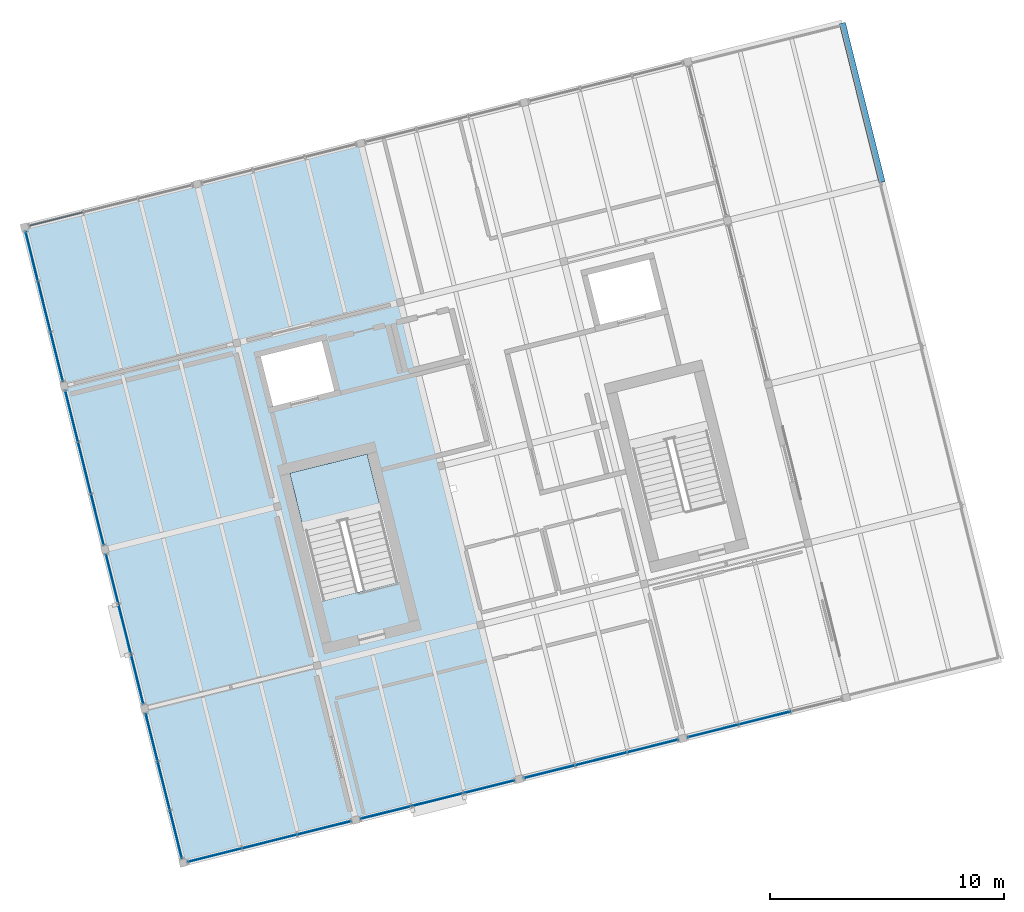
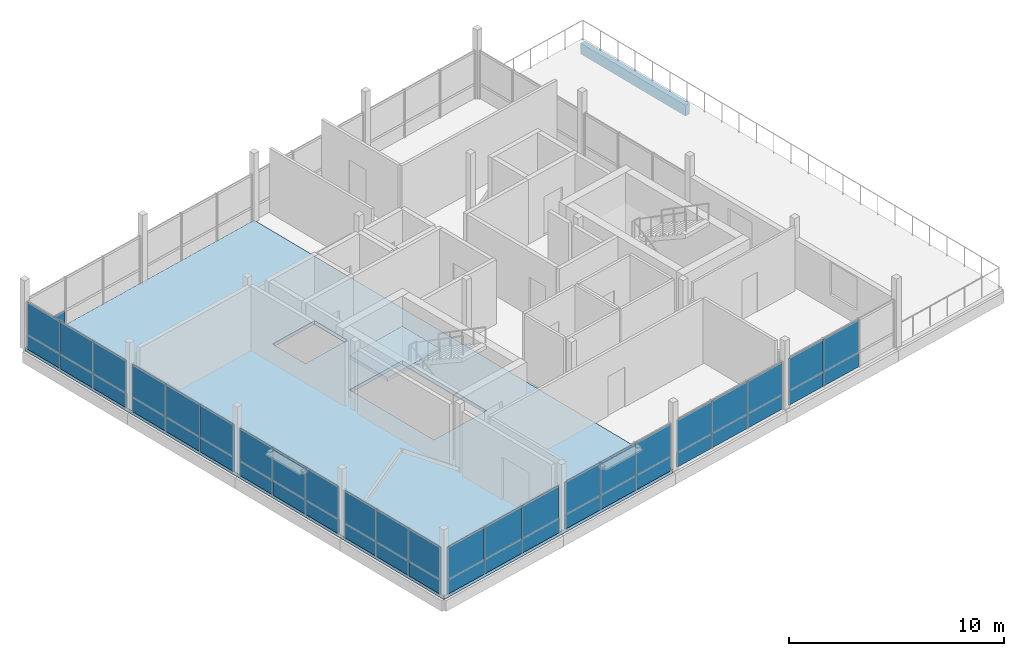
# One storey, part 20 of 24: 47 plates, 2 slabs, 1 beam, 10 elements without a shape of their own.
"""IFC4 building model written with IfcOpenShell, lengths in metres."""

from ifc_helpers import new_model, si_unit, direction, frame, origin, origin_2d, place, context, subcontext, project, spatial, polyline, rectangle, outline, extrude, material, layer, layer_set, material_profile, profile_set, type_object, element, aggregate, save


model = new_model("IFC4")

# Units and contexts
model_context = context("Model", 3, precision=1e-05, world=origin(), true_north=direction((0.0, 1.0)))
body_context = subcontext(model_context, "Body", "Model", "MODEL_VIEW")
ifc_project = project(units=[si_unit("LENGTHUNIT", "METRE"), si_unit("AREAUNIT", "SQUARE_METRE"), si_unit("VOLUMEUNIT", "CUBIC_METRE"), si_unit("PLANEANGLEUNIT", "RADIAN"), si_unit("MASSUNIT", "GRAM", prefix="KILO")], contexts=[model_context])

# Site, building, storey
site_placement = place(None, origin())
site = spatial("IfcSite", under=ifc_project, at=site_placement, CompositionType="ELEMENT")
building_placement = place(site_placement, origin())
building = spatial("IfcBuilding", under=site, at=building_placement, Name="Meriwether Solvik Hall", CompositionType="ELEMENT")
storey_placement = place(building_placement, frame((0.0, 0.0, 57.300048828125)))
storey = spatial("IfcBuildingStorey", under=building, at=storey_placement, Name="L14", CompositionType="ELEMENT", Elevation=57.300048828125)

# Beam
ifc_material_1 = material(Name="Glulam Douglas-Fir 24F-V8 GL28h", Category="wood")
ifc_material_profile = material_profile(ifc_material_1, rectangle(XDim=0.27294921875, YDim=0.610107421875, at=origin_2d()), Name="GLB-273X610")
ifc_profile_set = profile_set([ifc_material_profile], Name="Glulam Douglas-Fir 24F-V8 GL28h")
beam_type = type_object("IfcBeamType", Name="BM-GL-273X610", PredefinedType="SPANDREL", material=ifc_profile_set)
beam_placement = place(storey_placement, frame((98.4501953125, 70.285400390625, -0.525146484375), z_axis=(-0.241911879182, 0.970298223594, 0.0), x_axis=(-0.970298223594, -0.241911879182, 0.0)))
element("IfcBeam", 1, at=beam_placement, inside=storey, type_object=beam_type, Name="Tower Girder T6:TD-TE (L14)", PredefinedType="SPANDREL", context=body_context, shape_type="SweptSolid", body=[
    extrude(rectangle(XDim=0.27294921875, YDim=0.610107421875, at=origin_2d()), origin(), (0.0, 0.0, 1.0), 7.0),
])

# Curtain wall, plates
ifc_material_2 = material(Name="Thermally Broken Anodised Aluminium 6063-T6 and Low-E Glass", Category="aluminium")
ifc_layer_1 = layer(ifc_material_2, 0.179931640625)
ifc_layer_set_1 = layer_set([ifc_layer_1], Name="Thermally Broken Anodised Aluminium 6063-T6 and Low-E Glass")
curtain_wall_type_1 = type_object("IfcCurtainWallType", Name="CW-UNIT-E", PredefinedType="USERDEFINED", material=ifc_layer_set_1)
curtain_wall_1_placement = place(storey_placement, origin())
curtain_wall_1 = element("IfcCurtainWall", 2, at=curtain_wall_1_placement, inside=storey, type_object=curtain_wall_type_1, Name="Curtain Wall E0_B0 (L14)", ObjectType="UNITISED CURTAIN WALL", PredefinedType="USERDEFINED")
ifc_material_3 = material(Name="Low-Emissivity Double-Glazed Laminated Glass", Category="glass")
ifc_layer_2 = layer(ifc_material_3, 0.031982421875)
ifc_layer_set_2 = layer_set([ifc_layer_2], Name="Low-Emissivity Double-Glazed Laminated Glass")
plate_type_1 = type_object("IfcPlateType", Name="PLT-GLZ-180X185", PredefinedType="CURTAIN_PANEL", material=ifc_layer_set_2)
plate_1_placement = place(storey_placement, frame((74.6171875, 42.7001953125, 0.8173828125), z_axis=(0.0, 0.0, 1.0), x_axis=(-0.970295720361, -0.241921919325, 0.0)))
plate_1 = element("IfcPlate", 3, at=plate_1_placement, type_object=plate_type_1, Name="Low-E Vision Glazing Panel 1", PredefinedType="CURTAIN_PANEL", context=body_context, shape_type="SweptSolid", body=[
    extrude(rectangle(XDim=2.374267578125, YDim=0.033935546875, at=origin_2d()), origin(), (0.0, 0.0, 1.0), 1.847412109375),
])
plate_2_placement = place(storey_placement, frame((72.287109375, 42.119384765625, 0.8173828125), z_axis=(0.0, 0.0, 1.0), x_axis=(-0.970295720361, -0.241921919325, 0.0)))
plate_2 = element("IfcPlate", 4, at=plate_2_placement, type_object=plate_type_1, Name="Low-E Vision Glazing Panel 2", PredefinedType="CURTAIN_PANEL", context=body_context, shape_type="SweptSolid", body=[
    extrude(rectangle(XDim=2.412353515625, YDim=0.033935546875, at=origin_2d()), origin(), (0.0, 0.0, 1.0), 1.847412109375),
])
plate_3_placement = place(storey_placement, frame((69.95703125, 41.538330078125, 0.8173828125), z_axis=(0.0, 0.0, 1.0), x_axis=(-0.970295720361, -0.241921919325, 0.0)))
plate_3 = element("IfcPlate", 5, at=plate_3_placement, type_object=plate_type_1, Name="Low-E Vision Glazing Panel 3", PredefinedType="CURTAIN_PANEL", context=body_context, shape_type="SweptSolid", body=[
    extrude(rectangle(XDim=2.374267578125, YDim=0.033935546875, at=origin_2d()), origin(), (0.0, 0.0, 1.0), 1.847412109375),
])

ifc_material_4 = material(Name="Thermally Broken Anodised Aluminium 6063-T6 and Low-E Glass", Category="aluminium")
ifc_layer_3 = layer(ifc_material_4, 0.179931640625)
ifc_layer_set_3 = layer_set([ifc_layer_3], Name="Thermally Broken Anodised Aluminium 6063-T6 and Low-E Glass")
curtain_wall_type_2 = type_object("IfcCurtainWallType", Name="CW-UNIT-A", PredefinedType="USERDEFINED", material=ifc_layer_set_3)
curtain_wall_2_placement = place(storey_placement, origin())
curtain_wall_2 = element("IfcCurtainWall", 6, at=curtain_wall_2_placement, inside=storey, type_object=curtain_wall_type_2, Name="Curtain Wall E3_B0 (L14)", ObjectType="UNITISED CURTAIN WALL", PredefinedType="USERDEFINED")
plate_4_placement = place(storey_placement, frame((68.2939453125, 42.427734375, 0.8173828125), z_axis=(0.0, 0.0, 1.0), x_axis=(-0.241921830705, 0.970295742456, 0.0)))
plate_4 = element("IfcPlate", 7, at=plate_4_placement, type_object=plate_type_1, Name="Low-E Vision Glazing Panel 1", PredefinedType="CURTAIN_PANEL", context=body_context, shape_type="SweptSolid", body=[
    extrude(rectangle(XDim=2.107666015625, YDim=0.033935546875, at=origin_2d()), origin(), (0.0, 0.0, 1.0), 1.847412109375),
])
plate_5_placement = place(storey_placement, frame((67.777587890625, 44.4990234375, 0.8173828125), z_axis=(0.0, 0.0, 1.0), x_axis=(-0.241921830705, 0.970295742456, 0.0)))
plate_5 = element("IfcPlate", 8, at=plate_5_placement, type_object=plate_type_1, Name="Low-E Vision Glazing Panel 2", PredefinedType="CURTAIN_PANEL", context=body_context, shape_type="SweptSolid", body=[
    extrude(rectangle(XDim=2.145751953125, YDim=0.033935546875, at=origin_2d()), origin(), (0.0, 0.0, 1.0), 1.847412109375),
])
plate_6_placement = place(storey_placement, frame((67.260986328125, 46.5703125, 0.8173828125), z_axis=(0.0, 0.0, 1.0), x_axis=(-0.241921830705, 0.970295742456, 0.0)))
plate_6 = element("IfcPlate", 9, at=plate_6_placement, type_object=plate_type_1, Name="Low-E Vision Glazing Panel 3", PredefinedType="CURTAIN_PANEL", context=body_context, shape_type="SweptSolid", body=[
    extrude(rectangle(XDim=2.107666015625, YDim=0.033935546875, at=origin_2d()), origin(), (0.0, 0.0, 1.0), 1.847412109375),
])

curtain_wall_3_placement = place(storey_placement, origin())
curtain_wall_3 = element("IfcCurtainWall", 10, at=curtain_wall_3_placement, inside=storey, type_object=curtain_wall_type_2, Name="Curtain Wall E0_B3 (L14)", ObjectType="UNITISED CURTAIN WALL", PredefinedType="USERDEFINED")
ifc_material_5 = material(Name="Low-Emissivity Double-Glazed Laminated Glass", Category="glass")
ifc_layer_4 = layer(ifc_material_5, 0.031982421875)
ifc_layer_set_4 = layer_set([ifc_layer_4], Name="Low-Emissivity Double-Glazed Laminated Glass")
plate_type_2 = type_object("IfcPlateType", Name="PLT-GLZ-195X185", PredefinedType="CURTAIN_PANEL", material=ifc_layer_set_4)
plate_7_placement = place(storey_placement, frame((93.439453125, 47.393310546875, 0.8173828125), z_axis=(0.0, 0.0, 1.0), x_axis=(-0.970295696551, -0.241922014821, 0.0)))
plate_7 = element("IfcPlate", 11, at=plate_7_placement, type_object=plate_type_2, Name="Low-E Vision Glazing Panel 2", PredefinedType="CURTAIN_PANEL", context=body_context, shape_type="SweptSolid", body=[
    extrude(rectangle(XDim=2.279052734375, YDim=0.033935546875, at=origin_2d()), origin(), (0.0, 0.0, 1.0), 1.847412109375),
])
plate_8_placement = place(storey_placement, frame((91.239013671875, 46.844482421875, 0.8173828125), z_axis=(0.0, 0.0, 1.0), x_axis=(-0.970295696551, -0.241922014821, 0.0)))
plate_8 = element("IfcPlate", 12, at=plate_8_placement, type_object=plate_type_2, Name="Low-E Vision Glazing Panel 3", PredefinedType="CURTAIN_PANEL", context=body_context, shape_type="SweptSolid", body=[
    extrude(rectangle(XDim=2.240966796875, YDim=0.033935546875, at=origin_2d()), origin(), (0.0, 0.0, 1.0), 1.847412109375),
])

ifc_material_6 = material(Name="Thermally Broken Anodised Aluminium 6063-T6 and Low-E Glass", Category="aluminium")
ifc_layer_5 = layer(ifc_material_6, 0.179931640625)
ifc_layer_set_5 = layer_set([ifc_layer_5], Name="Thermally Broken Anodised Aluminium 6063-T6 and Low-E Glass")
curtain_wall_type_3 = type_object("IfcCurtainWallType", Name="CW-UNIT-D", PredefinedType="USERDEFINED", material=ifc_layer_set_5)
curtain_wall_4_placement = place(storey_placement, origin())
curtain_wall_4 = element("IfcCurtainWall", 13, at=curtain_wall_4_placement, inside=storey, type_object=curtain_wall_type_3, Name="Curtain Wall E3_B3 (L14)", ObjectType="UNITISED CURTAIN WALL", PredefinedType="USERDEFINED")
plate_9_placement = place(storey_placement, frame((63.20556640625, 62.836181640625, 0.8173828125), z_axis=(0.0, 0.0, 1.0), x_axis=(-0.241921784185, 0.970295754055, 0.0)))
plate_9 = element("IfcPlate", 14, at=plate_9_placement, type_object=plate_type_2, Name="Low-E Vision Glazing Panel 1", PredefinedType="CURTAIN_PANEL", context=body_context, shape_type="SweptSolid", body=[
    extrude(rectangle(XDim=2.17431640625, YDim=0.033935546875, at=origin_2d()), origin(), (0.0, 0.0, 1.0), 1.847412109375),
])
plate_10_placement = place(storey_placement, frame((62.6728515625, 64.97216796875, 0.8173828125), z_axis=(0.0, 0.0, 1.0), x_axis=(-0.241921784185, 0.970295754055, 0.0)))
plate_10 = element("IfcPlate", 15, at=plate_10_placement, type_object=plate_type_2, Name="Low-E Vision Glazing Panel 2", PredefinedType="CURTAIN_PANEL", context=body_context, shape_type="SweptSolid", body=[
    extrude(rectangle(XDim=2.21240234375, YDim=0.033935546875, at=origin_2d()), origin(), (0.0, 0.0, 1.0), 1.847412109375),
])
plate_11_placement = place(storey_placement, frame((62.140380859375, 67.108154296875, 0.8173828125), z_axis=(0.0, 0.0, 1.0), x_axis=(-0.241921784185, 0.970295754055, 0.0)))
plate_11 = element("IfcPlate", 16, at=plate_11_placement, type_object=plate_type_2, Name="Low-E Vision Glazing Panel 3", PredefinedType="CURTAIN_PANEL", context=body_context, shape_type="SweptSolid", body=[
    extrude(rectangle(XDim=2.17431640625, YDim=0.033935546875, at=origin_2d()), origin(), (0.0, 0.0, 1.0), 1.847412109375),
])

ifc_material_7 = material(Name="Thermally Broken Anodised Aluminium 6063-T6 and Low-E Glass", Category="aluminium")
ifc_layer_6 = layer(ifc_material_7, 0.179931640625)
ifc_layer_set_6 = layer_set([ifc_layer_6], Name="Thermally Broken Anodised Aluminium 6063-T6 and Low-E Glass")
curtain_wall_type_4 = type_object("IfcCurtainWallType", Name="CW-UNIT-G", PredefinedType="USERDEFINED", material=ifc_layer_set_6)
curtain_wall_5_placement = place(storey_placement, origin())
curtain_wall_5 = element("IfcCurtainWall", 17, at=curtain_wall_5_placement, inside=storey, type_object=curtain_wall_type_4, Name="Curtain Wall E0_B2 (L14)", ObjectType="UNITISED CURTAIN WALL", PredefinedType="USERDEFINED")
ifc_material_8 = material(Name="Low-Emissivity Double-Glazed Laminated Glass", Category="glass")
ifc_layer_7 = layer(ifc_material_8, 0.031982421875)
ifc_layer_set_7 = layer_set([ifc_layer_7], Name="Low-Emissivity Double-Glazed Laminated Glass")
plate_type_3 = type_object("IfcPlateType", Name="PLT-GLZ-210X195", PredefinedType="CURTAIN_PANEL", material=ifc_layer_set_7)
plate_12_placement = place(storey_placement, frame((88.654052734375, 46.199951171875, 0.8173828125), z_axis=(0.0, 0.0, 1.0), x_axis=(-0.970295730764, -0.241921877598, 0.0)))
plate_12 = element("IfcPlate", 18, at=plate_12_placement, type_object=plate_type_3, Name="Low-E Vision Glazing Panel 1", PredefinedType="CURTAIN_PANEL", context=body_context, shape_type="SweptSolid", body=[
    extrude(rectangle(XDim=2.240966796875, YDim=0.033935546875, at=origin_2d()), origin(), (0.0, 0.0, 1.0), 1.847412109375),
])
plate_13_placement = place(storey_placement, frame((86.453369140625, 45.6513671875, 0.8173828125), z_axis=(0.0, 0.0, 1.0), x_axis=(-0.970295730764, -0.241921877598, 0.0)))
plate_13 = element("IfcPlate", 19, at=plate_13_placement, type_object=plate_type_3, Name="Low-E Vision Glazing Panel 2", PredefinedType="CURTAIN_PANEL", context=body_context, shape_type="SweptSolid", body=[
    extrude(rectangle(XDim=2.279052734375, YDim=0.033935546875, at=origin_2d()), origin(), (0.0, 0.0, 1.0), 1.847412109375),
])
plate_14_placement = place(storey_placement, frame((84.2529296875, 45.102783203125, 0.8173828125), z_axis=(0.0, 0.0, 1.0), x_axis=(-0.970295730764, -0.241921877598, 0.0)))
plate_14 = element("IfcPlate", 20, at=plate_14_placement, type_object=plate_type_3, Name="Low-E Vision Glazing Panel 3", PredefinedType="CURTAIN_PANEL", context=body_context, shape_type="SweptSolid", body=[
    extrude(rectangle(XDim=2.240966796875, YDim=0.033935546875, at=origin_2d()), origin(), (0.0, 0.0, 1.0), 1.847412109375),
])

ifc_material_9 = material(Name="Thermally Broken Anodised Aluminium 6063-T6 and Low-E Glass", Category="aluminium")
ifc_layer_8 = layer(ifc_material_9, 0.179931640625)
ifc_layer_set_8 = layer_set([ifc_layer_8], Name="Thermally Broken Anodised Aluminium 6063-T6 and Low-E Glass")
curtain_wall_type_5 = type_object("IfcCurtainWallType", Name="CW-UNIT-C", PredefinedType="USERDEFINED", material=ifc_layer_set_8)
curtain_wall_6_placement = place(storey_placement, origin())
curtain_wall_6 = element("IfcCurtainWall", 21, at=curtain_wall_6_placement, inside=storey, type_object=curtain_wall_type_5, Name="Curtain Wall E3_B2 (L14)", ObjectType="UNITISED CURTAIN WALL", PredefinedType="USERDEFINED")
plate_15_placement = place(storey_placement, frame((64.939208984375, 55.882568359375, 0.8173828125), z_axis=(0.0, 0.0, 1.0), x_axis=(-0.241921877598, 0.970295730764, 0.0)))
plate_15 = element("IfcPlate", 22, at=plate_15_placement, type_object=plate_type_3, Name="Low-E Vision Glazing Panel 1", PredefinedType="CURTAIN_PANEL", context=body_context, shape_type="SweptSolid", body=[
    extrude(rectangle(XDim=2.240966796875, YDim=0.033935546875, at=origin_2d()), origin(), (0.0, 0.0, 1.0), 1.847412109375),
])
plate_16_placement = place(storey_placement, frame((64.390625, 58.083251953125, 0.8173828125), z_axis=(0.0, 0.0, 1.0), x_axis=(-0.241921877598, 0.970295730764, 0.0)))
plate_16 = element("IfcPlate", 23, at=plate_16_placement, type_object=plate_type_3, Name="Low-E Vision Glazing Panel 2", PredefinedType="CURTAIN_PANEL", context=body_context, shape_type="SweptSolid", body=[
    extrude(rectangle(XDim=2.279052734375, YDim=0.033935546875, at=origin_2d()), origin(), (0.0, 0.0, 1.0), 1.847412109375),
])
plate_17_placement = place(storey_placement, frame((63.841796875, 60.28369140625, 0.8173828125), z_axis=(0.0, 0.0, 1.0), x_axis=(-0.241921877598, 0.970295730764, 0.0)))
plate_17 = element("IfcPlate", 24, at=plate_17_placement, type_object=plate_type_3, Name="Low-E Vision Glazing Panel 3", PredefinedType="CURTAIN_PANEL", context=body_context, shape_type="SweptSolid", body=[
    extrude(rectangle(XDim=2.240966796875, YDim=0.033935546875, at=origin_2d()), origin(), (0.0, 0.0, 1.0), 1.847412109375),
])

ifc_material_10 = material(Name="Thermally Broken Anodised Aluminium 6063-T6 and Low-E Glass", Category="aluminium")
ifc_layer_9 = layer(ifc_material_10, 0.179931640625)
ifc_layer_set_9 = layer_set([ifc_layer_9], Name="Thermally Broken Anodised Aluminium 6063-T6 and Low-E Glass")
curtain_wall_type_6 = type_object("IfcCurtainWallType", Name="CW-UNIT-F", PredefinedType="USERDEFINED", material=ifc_layer_set_9)
curtain_wall_7_placement = place(storey_placement, origin())
curtain_wall_7 = element("IfcCurtainWall", 25, at=curtain_wall_7_placement, inside=storey, type_object=curtain_wall_type_6, Name="Curtain Wall E0_B1 (L14)", ObjectType="UNITISED CURTAIN WALL", PredefinedType="USERDEFINED")
ifc_material_11 = material(Name="Low-Emissivity Double-Glazed Laminated Glass", Category="glass")
ifc_layer_10 = layer(ifc_material_11, 0.031982421875)
ifc_layer_set_10 = layer_set([ifc_layer_10], Name="Low-Emissivity Double-Glazed Laminated Glass")
plate_type_4 = type_object("IfcPlateType", Name="PLT-GLZ-225X195", PredefinedType="CURTAIN_PANEL", material=ifc_layer_set_10)
plate_18_placement = place(storey_placement, frame((81.66796875, 44.458251953125, 0.8173828125), z_axis=(0.0, 0.0, 1.0), x_axis=(-0.970295730764, -0.241921877598, 0.0)))
plate_18 = element("IfcPlate", 26, at=plate_18_placement, type_object=plate_type_4, Name="Low-E Vision Glazing Panel 1", PredefinedType="CURTAIN_PANEL", context=body_context, shape_type="SweptSolid", body=[
    extrude(rectangle(XDim=2.240966796875, YDim=0.033935546875, at=origin_2d()), origin(), (0.0, 0.0, 1.0), 1.847412109375),
])
plate_19_placement = place(storey_placement, frame((79.46728515625, 43.909423828125, 0.8173828125), z_axis=(0.0, 0.0, 1.0), x_axis=(-0.970295730764, -0.241921877598, 0.0)))
plate_19 = element("IfcPlate", 27, at=plate_19_placement, type_object=plate_type_4, Name="Low-E Vision Glazing Panel 2", PredefinedType="CURTAIN_PANEL", context=body_context, shape_type="SweptSolid", body=[
    extrude(rectangle(XDim=2.279052734375, YDim=0.033935546875, at=origin_2d()), origin(), (0.0, 0.0, 1.0), 1.847412109375),
])
plate_20_placement = place(storey_placement, frame((77.2666015625, 43.36083984375, 0.8173828125), z_axis=(0.0, 0.0, 1.0), x_axis=(-0.970295730764, -0.241921877598, 0.0)))
plate_20 = element("IfcPlate", 28, at=plate_20_placement, type_object=plate_type_4, Name="Low-E Vision Glazing Panel 3", PredefinedType="CURTAIN_PANEL", context=body_context, shape_type="SweptSolid", body=[
    extrude(rectangle(XDim=2.240966796875, YDim=0.033935546875, at=origin_2d()), origin(), (0.0, 0.0, 1.0), 1.847412109375),
])

ifc_material_12 = material(Name="Thermally Broken Anodised Aluminium 6063-T6 and Low-E Glass", Category="aluminium")
ifc_layer_11 = layer(ifc_material_12, 0.179931640625)
ifc_layer_set_11 = layer_set([ifc_layer_11], Name="Thermally Broken Anodised Aluminium 6063-T6 and Low-E Glass")
curtain_wall_type_7 = type_object("IfcCurtainWallType", Name="CW-UNIT-B", PredefinedType="USERDEFINED", material=ifc_layer_set_11)
curtain_wall_8_placement = place(storey_placement, origin())
curtain_wall_8 = element("IfcCurtainWall", 29, at=curtain_wall_8_placement, inside=storey, type_object=curtain_wall_type_7, Name="Curtain Wall E3_B1 (L14)", ObjectType="UNITISED CURTAIN WALL", PredefinedType="USERDEFINED")
plate_21_placement = place(storey_placement, frame((66.640869140625, 49.05810546875, 0.8173828125), z_axis=(0.0, 0.0, 1.0), x_axis=(-0.241921784185, 0.970295754055, 0.0)))
plate_21 = element("IfcPlate", 30, at=plate_21_placement, type_object=plate_type_4, Name="Low-E Vision Glazing Panel 1", PredefinedType="CURTAIN_PANEL", context=body_context, shape_type="SweptSolid", body=[
    extrude(rectangle(XDim=2.17431640625, YDim=0.033935546875, at=origin_2d()), origin(), (0.0, 0.0, 1.0), 1.847412109375),
])
plate_22_placement = place(storey_placement, frame((66.108154296875, 51.194091796875, 0.8173828125), z_axis=(0.0, 0.0, 1.0), x_axis=(-0.241921784185, 0.970295754055, 0.0)))
plate_22 = element("IfcPlate", 31, at=plate_22_placement, type_object=plate_type_4, Name="Low-E Vision Glazing Panel 2", PredefinedType="CURTAIN_PANEL", context=body_context, shape_type="SweptSolid", body=[
    extrude(rectangle(XDim=2.21240234375, YDim=0.033935546875, at=origin_2d()), origin(), (0.0, 0.0, 1.0), 1.847412109375),
])
plate_23_placement = place(storey_placement, frame((65.57568359375, 53.330078125, 0.8173828125), z_axis=(0.0, 0.0, 1.0), x_axis=(-0.241921784185, 0.970295754055, 0.0)))
plate_23 = element("IfcPlate", 32, at=plate_23_placement, type_object=plate_type_4, Name="Low-E Vision Glazing Panel 3", PredefinedType="CURTAIN_PANEL", context=body_context, shape_type="SweptSolid", body=[
    extrude(rectangle(XDim=2.17431640625, YDim=0.033935546875, at=origin_2d()), origin(), (0.0, 0.0, 1.0), 1.847412109375),
])

# Plate
ifc_material_13 = material(Name="Mineral-Wool Insulated Anodised Aluminium 6063-T6", Category="aluminium")
ifc_layer_12 = layer(ifc_material_13, 0.044921875)
ifc_layer_set_12 = layer_set([ifc_layer_12], Name="Mineral-Wool Insulated Anodised Aluminium 6063-T6")
plate_type_5 = type_object("IfcPlateType", Name="PLT-SPN-200X085", PredefinedType="CURTAIN_PANEL", material=ifc_layer_set_12)
plate_24_placement = place(storey_placement, frame((74.6171875, 42.7001953125, 0.0), z_axis=(0.0, 0.0, 1.0), x_axis=(-0.970295720361, -0.241921919325, 0.0)))
plate_24 = element("IfcPlate", 33, at=plate_24_placement, type_object=plate_type_5, Name="Insulated Spandrel Panel 1", PredefinedType="CURTAIN_PANEL", context=body_context, shape_type="SweptSolid", body=[
    extrude(rectangle(XDim=2.374267578125, YDim=0.044921875, at=origin_2d()), origin(), (0.0, 0.0, 1.0), 0.8173828125),
])

plate_25_placement = place(storey_placement, frame((72.287109375, 42.119384765625, 0.0), z_axis=(0.0, 0.0, 1.0), x_axis=(-0.970295720361, -0.241921919325, 0.0)))
plate_25 = element("IfcPlate", 34, at=plate_25_placement, type_object=plate_type_5, Name="Insulated Spandrel Panel 2", PredefinedType="CURTAIN_PANEL", context=body_context, shape_type="SweptSolid", body=[
    extrude(rectangle(XDim=2.412353515625, YDim=0.044921875, at=origin_2d()), origin(), (0.0, 0.0, 1.0), 0.8173828125),
])

plate_26_placement = place(storey_placement, frame((69.95703125, 41.538330078125, 0.0), z_axis=(0.0, 0.0, 1.0), x_axis=(-0.970295720361, -0.241921919325, 0.0)))
plate_26 = element("IfcPlate", 35, at=plate_26_placement, type_object=plate_type_5, Name="Insulated Spandrel Panel 3", PredefinedType="CURTAIN_PANEL", context=body_context, shape_type="SweptSolid", body=[
    extrude(rectangle(XDim=2.374267578125, YDim=0.044921875, at=origin_2d()), origin(), (0.0, 0.0, 1.0), 0.8173828125),
])

aggregate(curtain_wall_1, [plate_24, plate_1, plate_25, plate_2, plate_26, plate_3])

plate_27_placement = place(storey_placement, frame((81.66796875, 44.458251953125, 0.0), z_axis=(0.0, 0.0, 1.0), x_axis=(-0.970295730764, -0.241921877598, 0.0)))
plate_27 = element("IfcPlate", 36, at=plate_27_placement, type_object=plate_type_5, Name="Insulated Spandrel Panel 1", PredefinedType="CURTAIN_PANEL", context=body_context, shape_type="SweptSolid", body=[
    extrude(rectangle(XDim=2.240966796875, YDim=0.044921875, at=origin_2d()), origin(), (0.0, 0.0, 1.0), 0.8173828125),
])

plate_28_placement = place(storey_placement, frame((79.46728515625, 43.909423828125, 0.0), z_axis=(0.0, 0.0, 1.0), x_axis=(-0.970295730764, -0.241921877598, 0.0)))
plate_28 = element("IfcPlate", 37, at=plate_28_placement, type_object=plate_type_5, Name="Insulated Spandrel Panel 2", PredefinedType="CURTAIN_PANEL", context=body_context, shape_type="SweptSolid", body=[
    extrude(rectangle(XDim=2.279052734375, YDim=0.044921875, at=origin_2d()), origin(), (0.0, 0.0, 1.0), 0.8173828125),
])

plate_29_placement = place(storey_placement, frame((77.2666015625, 43.36083984375, 0.0), z_axis=(0.0, 0.0, 1.0), x_axis=(-0.970295730764, -0.241921877598, 0.0)))
plate_29 = element("IfcPlate", 38, at=plate_29_placement, type_object=plate_type_5, Name="Insulated Spandrel Panel 3", PredefinedType="CURTAIN_PANEL", context=body_context, shape_type="SweptSolid", body=[
    extrude(rectangle(XDim=2.240966796875, YDim=0.044921875, at=origin_2d()), origin(), (0.0, 0.0, 1.0), 0.8173828125),
])

aggregate(curtain_wall_7, [plate_27, plate_18, plate_28, plate_19, plate_29, plate_20])

plate_30_placement = place(storey_placement, frame((88.654052734375, 46.199951171875, 0.0), z_axis=(0.0, 0.0, 1.0), x_axis=(-0.970295730764, -0.241921877598, 0.0)))
plate_30 = element("IfcPlate", 39, at=plate_30_placement, type_object=plate_type_5, Name="Insulated Spandrel Panel 1", PredefinedType="CURTAIN_PANEL", context=body_context, shape_type="SweptSolid", body=[
    extrude(rectangle(XDim=2.240966796875, YDim=0.044921875, at=origin_2d()), origin(), (0.0, 0.0, 1.0), 0.8173828125),
])

plate_31_placement = place(storey_placement, frame((86.453369140625, 45.6513671875, 0.0), z_axis=(0.0, 0.0, 1.0), x_axis=(-0.970295730764, -0.241921877598, 0.0)))
plate_31 = element("IfcPlate", 40, at=plate_31_placement, type_object=plate_type_5, Name="Insulated Spandrel Panel 2", PredefinedType="CURTAIN_PANEL", context=body_context, shape_type="SweptSolid", body=[
    extrude(rectangle(XDim=2.279052734375, YDim=0.044921875, at=origin_2d()), origin(), (0.0, 0.0, 1.0), 0.8173828125),
])

plate_32_placement = place(storey_placement, frame((84.2529296875, 45.102783203125, 0.0), z_axis=(0.0, 0.0, 1.0), x_axis=(-0.970295730764, -0.241921877598, 0.0)))
plate_32 = element("IfcPlate", 41, at=plate_32_placement, type_object=plate_type_5, Name="Insulated Spandrel Panel 3", PredefinedType="CURTAIN_PANEL", context=body_context, shape_type="SweptSolid", body=[
    extrude(rectangle(XDim=2.240966796875, YDim=0.044921875, at=origin_2d()), origin(), (0.0, 0.0, 1.0), 0.8173828125),
])

aggregate(curtain_wall_5, [plate_30, plate_12, plate_31, plate_13, plate_32, plate_14])

plate_33_placement = place(storey_placement, frame((93.439453125, 47.393310546875, 0.0), z_axis=(0.0, 0.0, 1.0), x_axis=(-0.970295696551, -0.241922014821, 0.0)))
plate_33 = element("IfcPlate", 42, at=plate_33_placement, type_object=plate_type_5, Name="Insulated Spandrel Panel 2", PredefinedType="CURTAIN_PANEL", context=body_context, shape_type="SweptSolid", body=[
    extrude(rectangle(XDim=2.279052734375, YDim=0.044921875, at=origin_2d()), origin(), (0.0, 0.0, 1.0), 0.8173828125),
])

plate_34_placement = place(storey_placement, frame((91.239013671875, 46.844482421875, 0.0), z_axis=(0.0, 0.0, 1.0), x_axis=(-0.970295696551, -0.241922014821, 0.0)))
plate_34 = element("IfcPlate", 43, at=plate_34_placement, type_object=plate_type_5, Name="Insulated Spandrel Panel 3", PredefinedType="CURTAIN_PANEL", context=body_context, shape_type="SweptSolid", body=[
    extrude(rectangle(XDim=2.240966796875, YDim=0.044921875, at=origin_2d()), origin(), (0.0, 0.0, 1.0), 0.8173828125),
])

aggregate(curtain_wall_3, [plate_33, plate_7, plate_34, plate_8])

# Curtain wall, plate
curtain_wall_9_placement = place(storey_placement, origin())
curtain_wall_9 = element("IfcCurtainWall", 44, at=curtain_wall_9_placement, inside=storey, type_object=curtain_wall_type_4, Name="Curtain Wall E2_B0 (L14)", ObjectType="UNITISED CURTAIN WALL", PredefinedType="USERDEFINED")
plate_35_placement = place(storey_placement, frame((63.183349609375, 68.70654296875, 0.0), z_axis=(0.0, 0.0, 1.0), x_axis=(0.970295720361, 0.241921919325, 0.0)))
plate_35 = element("IfcPlate", 45, at=plate_35_placement, type_object=plate_type_5, Name="Insulated Spandrel Panel 1", PredefinedType="CURTAIN_PANEL", context=body_context, shape_type="SweptSolid", body=[
    extrude(rectangle(XDim=2.374267578125, YDim=0.044921875, at=origin_2d()), origin(), (0.0, 0.0, 1.0), 0.8173828125),
])
aggregate(curtain_wall_9, [plate_35])

# Plate
plate_36_placement = place(storey_placement, frame((68.2939453125, 42.427734375, 0.0), z_axis=(0.0, 0.0, 1.0), x_axis=(-0.241921830705, 0.970295742456, 0.0)))
plate_36 = element("IfcPlate", 46, at=plate_36_placement, type_object=plate_type_5, Name="Insulated Spandrel Panel 1", PredefinedType="CURTAIN_PANEL", context=body_context, shape_type="SweptSolid", body=[
    extrude(rectangle(XDim=2.107666015625, YDim=0.044921875, at=origin_2d()), origin(), (0.0, 0.0, 1.0), 0.8173828125),
])

plate_37_placement = place(storey_placement, frame((67.777587890625, 44.4990234375, 0.0), z_axis=(0.0, 0.0, 1.0), x_axis=(-0.241921830705, 0.970295742456, 0.0)))
plate_37 = element("IfcPlate", 47, at=plate_37_placement, type_object=plate_type_5, Name="Insulated Spandrel Panel 2", PredefinedType="CURTAIN_PANEL", context=body_context, shape_type="SweptSolid", body=[
    extrude(rectangle(XDim=2.145751953125, YDim=0.044921875, at=origin_2d()), origin(), (0.0, 0.0, 1.0), 0.8173828125),
])

plate_38_placement = place(storey_placement, frame((67.260986328125, 46.5703125, 0.0), z_axis=(0.0, 0.0, 1.0), x_axis=(-0.241921830705, 0.970295742456, 0.0)))
plate_38 = element("IfcPlate", 48, at=plate_38_placement, type_object=plate_type_5, Name="Insulated Spandrel Panel 3", PredefinedType="CURTAIN_PANEL", context=body_context, shape_type="SweptSolid", body=[
    extrude(rectangle(XDim=2.107666015625, YDim=0.044921875, at=origin_2d()), origin(), (0.0, 0.0, 1.0), 0.8173828125),
])

aggregate(curtain_wall_2, [plate_36, plate_4, plate_37, plate_5, plate_38, plate_6])

plate_39_placement = place(storey_placement, frame((66.640869140625, 49.05810546875, 0.0), z_axis=(0.0, 0.0, 1.0), x_axis=(-0.241921784185, 0.970295754055, 0.0)))
plate_39 = element("IfcPlate", 49, at=plate_39_placement, type_object=plate_type_5, Name="Insulated Spandrel Panel 1", PredefinedType="CURTAIN_PANEL", context=body_context, shape_type="SweptSolid", body=[
    extrude(rectangle(XDim=2.17431640625, YDim=0.044921875, at=origin_2d()), origin(), (0.0, 0.0, 1.0), 0.8173828125),
])

plate_40_placement = place(storey_placement, frame((66.108154296875, 51.194091796875, 0.0), z_axis=(0.0, 0.0, 1.0), x_axis=(-0.241921784185, 0.970295754055, 0.0)))
plate_40 = element("IfcPlate", 50, at=plate_40_placement, type_object=plate_type_5, Name="Insulated Spandrel Panel 2", PredefinedType="CURTAIN_PANEL", context=body_context, shape_type="SweptSolid", body=[
    extrude(rectangle(XDim=2.21240234375, YDim=0.044921875, at=origin_2d()), origin(), (0.0, 0.0, 1.0), 0.8173828125),
])

plate_41_placement = place(storey_placement, frame((65.57568359375, 53.330078125, 0.0), z_axis=(0.0, 0.0, 1.0), x_axis=(-0.241921784185, 0.970295754055, 0.0)))
plate_41 = element("IfcPlate", 51, at=plate_41_placement, type_object=plate_type_5, Name="Insulated Spandrel Panel 3", PredefinedType="CURTAIN_PANEL", context=body_context, shape_type="SweptSolid", body=[
    extrude(rectangle(XDim=2.17431640625, YDim=0.044921875, at=origin_2d()), origin(), (0.0, 0.0, 1.0), 0.8173828125),
])

aggregate(curtain_wall_8, [plate_39, plate_21, plate_40, plate_22, plate_41, plate_23])

plate_42_placement = place(storey_placement, frame((64.939208984375, 55.882568359375, 0.0), z_axis=(0.0, 0.0, 1.0), x_axis=(-0.241921877598, 0.970295730764, 0.0)))
plate_42 = element("IfcPlate", 52, at=plate_42_placement, type_object=plate_type_5, Name="Insulated Spandrel Panel 1", PredefinedType="CURTAIN_PANEL", context=body_context, shape_type="SweptSolid", body=[
    extrude(rectangle(XDim=2.240966796875, YDim=0.044921875, at=origin_2d()), origin(), (0.0, 0.0, 1.0), 0.8173828125),
])

plate_43_placement = place(storey_placement, frame((64.390625, 58.083251953125, 0.0), z_axis=(0.0, 0.0, 1.0), x_axis=(-0.241921877598, 0.970295730764, 0.0)))
plate_43 = element("IfcPlate", 53, at=plate_43_placement, type_object=plate_type_5, Name="Insulated Spandrel Panel 2", PredefinedType="CURTAIN_PANEL", context=body_context, shape_type="SweptSolid", body=[
    extrude(rectangle(XDim=2.279052734375, YDim=0.044921875, at=origin_2d()), origin(), (0.0, 0.0, 1.0), 0.8173828125),
])

plate_44_placement = place(storey_placement, frame((63.841796875, 60.28369140625, 0.0), z_axis=(0.0, 0.0, 1.0), x_axis=(-0.241921877598, 0.970295730764, 0.0)))
plate_44 = element("IfcPlate", 54, at=plate_44_placement, type_object=plate_type_5, Name="Insulated Spandrel Panel 3", PredefinedType="CURTAIN_PANEL", context=body_context, shape_type="SweptSolid", body=[
    extrude(rectangle(XDim=2.240966796875, YDim=0.044921875, at=origin_2d()), origin(), (0.0, 0.0, 1.0), 0.8173828125),
])

aggregate(curtain_wall_6, [plate_42, plate_15, plate_43, plate_16, plate_44, plate_17])

plate_45_placement = place(storey_placement, frame((63.20556640625, 62.836181640625, 0.0), z_axis=(0.0, 0.0, 1.0), x_axis=(-0.241921784185, 0.970295754055, 0.0)))
plate_45 = element("IfcPlate", 55, at=plate_45_placement, type_object=plate_type_5, Name="Insulated Spandrel Panel 1", PredefinedType="CURTAIN_PANEL", context=body_context, shape_type="SweptSolid", body=[
    extrude(rectangle(XDim=2.17431640625, YDim=0.044921875, at=origin_2d()), origin(), (0.0, 0.0, 1.0), 0.8173828125),
])

plate_46_placement = place(storey_placement, frame((62.6728515625, 64.97216796875, 0.0), z_axis=(0.0, 0.0, 1.0), x_axis=(-0.241921784185, 0.970295754055, 0.0)))
plate_46 = element("IfcPlate", 56, at=plate_46_placement, type_object=plate_type_5, Name="Insulated Spandrel Panel 2", PredefinedType="CURTAIN_PANEL", context=body_context, shape_type="SweptSolid", body=[
    extrude(rectangle(XDim=2.21240234375, YDim=0.044921875, at=origin_2d()), origin(), (0.0, 0.0, 1.0), 0.8173828125),
])

plate_47_placement = place(storey_placement, frame((62.140380859375, 67.108154296875, 0.0), z_axis=(0.0, 0.0, 1.0), x_axis=(-0.241921784185, 0.970295754055, 0.0)))
plate_47 = element("IfcPlate", 57, at=plate_47_placement, type_object=plate_type_5, Name="Insulated Spandrel Panel 3", PredefinedType="CURTAIN_PANEL", context=body_context, shape_type="SweptSolid", body=[
    extrude(rectangle(XDim=2.17431640625, YDim=0.044921875, at=origin_2d()), origin(), (0.0, 0.0, 1.0), 0.8173828125),
])

aggregate(curtain_wall_4, [plate_45, plate_9, plate_46, plate_10, plate_47, plate_11])

# Slab
ifc_material_14 = material(Name="Cross-Laminated Timber PRG 320 E1", Category="wood")
ifc_layer_13 = layer(ifc_material_14, 0.199951171875)
ifc_layer_set_13 = layer_set([ifc_layer_13], Name="Cross-Laminated Timber PRG 320 E1")
slab_type_1 = type_object("IfcSlabType", Name="SLB-CLT-200", PredefinedType="FLOOR", material=ifc_layer_set_13)
slab_1_placement = place(storey_placement, frame((0.0, 0.0, -0.199951171875)))
element("IfcSlab", 58, at=slab_1_placement, inside=storey, type_object=slab_type_1, Name="L14 Mass-Timber CLT Floor W", PredefinedType="FLOOR", context=body_context, shape_type="SweptSolid", body=[
    extrude(outline(polyline([(76.18359375, 71.947998046875), (82.95751953125, 44.77978515625), (68.60009765625, 41.199951171875), (61.826171875, 68.3681640625), (76.18359375, 71.947998046875)]), holes=[polyline([(73.157958984375, 57.84716796875), (74.5205078125, 52.382568359375), (77.819580078125, 53.205078125), (76.45703125, 58.669677734375), (73.157958984375, 57.84716796875)]), polyline([(71.912109375, 62.84423828125), (72.4443359375, 60.70947265625), (75.064208984375, 61.36279296875), (74.531982421875, 63.497314453125), (71.912109375, 62.84423828125)])]), origin(), (0.0, 0.0, 1.0), 0.199951171875),
])

# Stair, slab
ifc_material_15 = material(Name="Concrete C40/50", Category="concrete")
stair_type = type_object("IfcStairType", Name="STR-CORE-DOGLEG-A", PredefinedType="TWO_STRAIGHT_RUN_STAIR", material=ifc_material_15)
stair_placement = place(storey_placement, origin())
stair = element("IfcStair", 59, at=stair_placement, inside=storey, type_object=stair_type, Name="Exit Stair ST-01 (L14)", PredefinedType="TWO_STRAIGHT_RUN_STAIR")
ifc_material_16 = material(Name="Concrete C40/50", Category="concrete")
ifc_layer_14 = layer(ifc_material_16, 0.199951171875)
ifc_layer_set_14 = layer_set([ifc_layer_14], Name="Concrete C40/50")
slab_type_2 = type_object("IfcSlabType", Name="SLB-LND-200", PredefinedType="LANDING", material=ifc_layer_set_14)
slab_2_placement = place(storey_placement, frame((0.0, 0.0, 1.75)))
slab_2 = element("IfcSlab", 60, at=slab_2_placement, type_object=slab_type_2, Name="Stair ST-01 Half Landing (L14)", PredefinedType="LANDING", context=body_context, shape_type="SweptSolid", body=[
    extrude(outline(polyline([(73.76611328125, 55.38818359375), (77.07470703125, 56.213134765625), (76.460693359375, 58.67578125), (73.152099609375, 57.850830078125), (73.76611328125, 55.38818359375)])), origin(), (0.0, 0.0, 1.0), 0.199951171875),
])
aggregate(stair, [slab_2])

save(model, "model.ifc")
